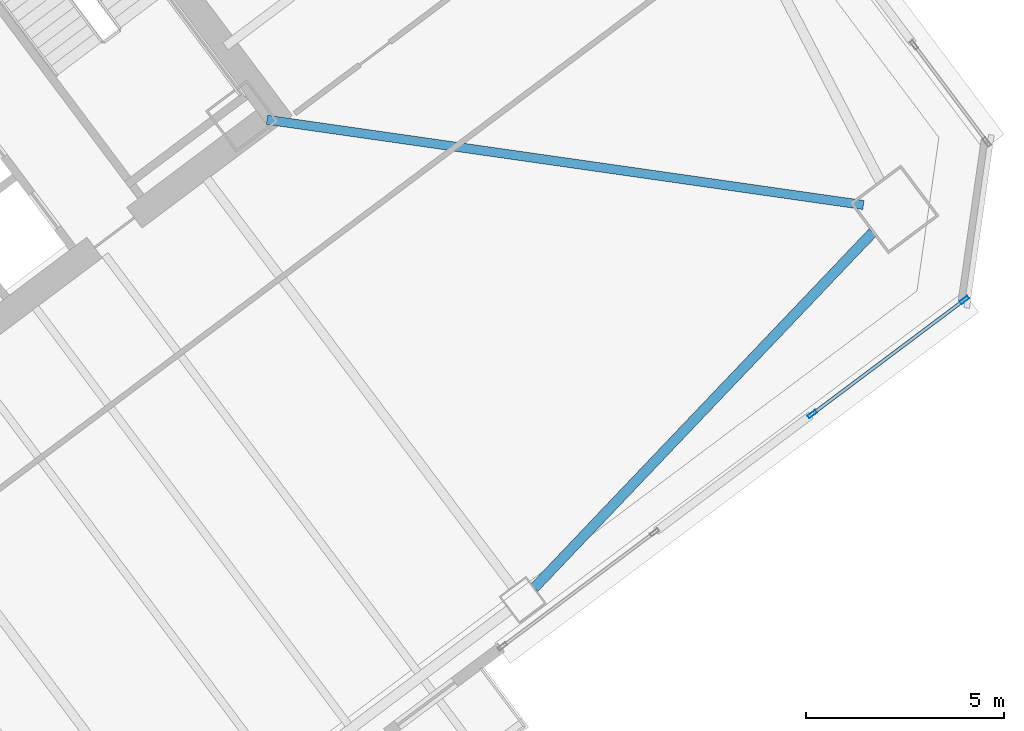
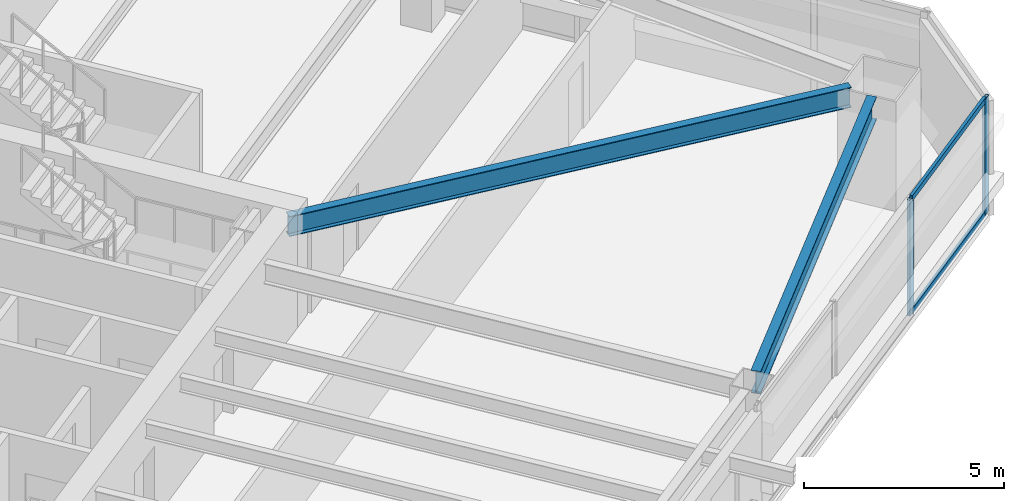
# One storey, part 28 of 51: 4 members, 2 beams, 1 element without a shape of its own.
"""IFC4 building model written with IfcOpenShell, lengths in metres."""

from ifc_helpers import new_model, si_unit, direction, frame, origin, origin_2d, place, context, subcontext, project, spatial, hollow_rectangle, i_section, extrude, material, material_profile, profile_set, type_object, element, aggregate, save


model = new_model("IFC4")

# Units and contexts
model_context = context("Model", 3, precision=1e-05, world=origin(), true_north=direction((0.0, 1.0)))
body_context = subcontext(model_context, "Body", "Model", "MODEL_VIEW")
ifc_project = project(units=[si_unit("LENGTHUNIT", "METRE"), si_unit("AREAUNIT", "SQUARE_METRE"), si_unit("VOLUMEUNIT", "CUBIC_METRE"), si_unit("PLANEANGLEUNIT", "RADIAN"), si_unit("MASSUNIT", "GRAM", prefix="KILO")], contexts=[model_context])

# Site, building, storey
site_placement = place(None, origin())
site = spatial("IfcSite", under=ifc_project, at=site_placement, CompositionType="ELEMENT")
building_placement = place(site_placement, origin())
building = spatial("IfcBuilding", under=site, at=building_placement, Name="Tashvorn Skyway Center", CompositionType="ELEMENT")
storey_placement = place(building_placement, frame((0.0, 0.0, 49.449951171875)))
storey = spatial("IfcBuildingStorey", under=building, at=storey_placement, Name="L12", CompositionType="ELEMENT", Elevation=49.449951171875)

# Beams
ifc_material_1 = material(Name="Steel ASTM A992 Grade 50", Category="steel")
ifc_material_profile_1 = material_profile(ifc_material_1, i_section(OverallWidth=0.22998046875, OverallDepth=0.616943359375, WebThickness=0.01318359375, FlangeThickness=0.022216796875, at=origin_2d()), Name="W24X94")
ifc_profile_set_1 = profile_set([ifc_material_profile_1], Name="Steel ASTM A992 Grade 50")
beam_type_1 = type_object("IfcBeamType", Name="BM-BEAM-W24X94", PredefinedType="BEAM", material=ifc_profile_set_1)
beam_1_placement = place(storey_placement, frame((139.532958984375, 28.3525390625, 3.04150390625), z_axis=(-0.989950458816, 0.141414599991, 0.0), x_axis=(-0.141414599991, -0.989950458816, 0.0)))
element("IfcBeam", 1, at=beam_1_placement, inside=storey, type_object=beam_type_1, Name="Tower 2 L12 Primary Floor Girder MC-SE", PredefinedType="BEAM", context=body_context, shape_type="SweptSolid", body=[
    extrude(i_section(OverallWidth=0.22998046875, OverallDepth=0.616943359375, WebThickness=0.01318359375, FlangeThickness=0.022216796875, at=origin_2d()), origin(), (0.0, 0.0, 1.0), 15.177001953125),
])
ifc_material_profile_2 = material_profile(ifc_material_1, i_section(OverallWidth=0.256103515625, OverallDepth=0.693115234375, WebThickness=0.014404296875, FlangeThickness=0.023681640625, at=origin_2d()), Name="W27X114")
ifc_profile_set_2 = profile_set([ifc_material_profile_2], Name="Steel ASTM A992 Grade 50")
beam_type_2 = type_object("IfcBeamType", Name="BM-SPANDREL-W27X114", PredefinedType="SPANDREL", material=ifc_profile_set_2)
beam_2_placement = place(storey_placement, frame((131.23974609375, 18.7041015625, 3.003662109375), z_axis=(0.689589637236, 0.724200339835, 0.0), x_axis=(-0.724200339835, 0.689589637236, 0.0)))
element("IfcBeam", 2, at=beam_2_placement, inside=storey, type_object=beam_type_2, Name="Tower 2 L12 Spandrel Beam 03", PredefinedType="SPANDREL", context=body_context, shape_type="SweptSolid", body=[
    extrude(i_section(OverallWidth=0.256103515625, OverallDepth=0.693115234375, WebThickness=0.014404296875, FlangeThickness=0.023681640625, at=origin_2d()), origin(), (0.0, 0.0, 1.0), 12.37255859375),
])

# Curtain wall, members
ifc_material_2 = material(Name="Thermally broken bronze-anodized aluminium 6063-T6", Category="aluminium")
curtain_wall_type = type_object("IfcCurtainWallType", Name="CW-CW-Z1", PredefinedType="NOTDEFINED", material=ifc_material_2)
curtain_wall_placement = place(storey_placement, origin())
curtain_wall = element("IfcCurtainWall", 3, at=curtain_wall_placement, inside=storey, type_object=curtain_wall_type, Name="Tower 2 L12 South Curtain Wall L Glazing Group 1", PredefinedType="NOTDEFINED")
ifc_material_profile_3 = material_profile(ifc_material_2, hollow_rectangle(XDim=0.0849609375, YDim=0.239990234375, WallThickness=0.0048828125, at=origin_2d()), Name="ALU-MULL-85x240")
ifc_profile_set_3 = profile_set([ifc_material_profile_3], Name="Thermally broken bronze-anodized aluminium 6063-T6")
member_type_1 = type_object("IfcMemberType", Name="CWM-CW-Z1", PredefinedType="MULLION", material=ifc_profile_set_3)
member_1_placement = place(storey_placement, frame((142.077880859375, 25.95849609375, 0.0), z_axis=(0.0, 0.0, 1.0), x_axis=(0.600003280937, -0.799997539287, 0.0)))
member_1 = element("IfcMember", 4, at=member_1_placement, type_object=member_type_1, Name="CW-Z1 mullion 1", PredefinedType="MULLION", context=body_context, shape_type="SweptSolid", body=[
    extrude(hollow_rectangle(XDim=0.0849609375, YDim=0.239990234375, WallThickness=0.0048828125, at=origin_2d()), origin(), (0.0, 0.0, 1.0), 3.550048828125),
])
member_2_placement = place(storey_placement, frame((138.24462890625, 23.08349609375, 0.0), z_axis=(0.0, 0.0, 1.0), x_axis=(0.600003280937, -0.799997539287, 0.0)))
member_2 = element("IfcMember", 5, at=member_2_placement, type_object=member_type_1, Name="CW-Z1 mullion 2", PredefinedType="MULLION", context=body_context, shape_type="SweptSolid", body=[
    extrude(hollow_rectangle(XDim=0.0849609375, YDim=0.239990234375, WallThickness=0.0048828125, at=origin_2d()), origin(), (0.0, 0.0, 1.0), 3.550048828125),
])
ifc_material_profile_4 = material_profile(ifc_material_2, hollow_rectangle(XDim=0.0849609375, YDim=0.1650390625, WallThickness=0.0048828125, at=origin_2d()), Name="ALU-TRAN-85x165")
ifc_profile_set_4 = profile_set([ifc_material_profile_4], Name="Thermally broken bronze-anodized aluminium 6063-T6")
member_type_2 = type_object("IfcMemberType", Name="CWT-CW-Z1", PredefinedType="USERDEFINED", material=ifc_profile_set_4)
member_3_placement = place(storey_placement, frame((142.0439453125, 25.93310546875, 0.04248046875), z_axis=(-0.799962650953, -0.600049795501, 0.0), x_axis=(0.600049795501, -0.799962650953, 0.0)))
member_3 = element("IfcMember", 6, at=member_3_placement, type_object=member_type_2, Name="CW-Z1 transom 1.1", ObjectType="TRANSOM", PredefinedType="USERDEFINED", context=body_context, shape_type="SweptSolid", body=[
    extrude(hollow_rectangle(XDim=0.0849609375, YDim=0.1650390625, WallThickness=0.0048828125, at=origin_2d()), origin(), (0.0, 0.0, 1.0), 4.70654296875),
])
member_4_placement = place(storey_placement, frame((142.0439453125, 25.93310546875, 3.507568359375), z_axis=(-0.799962650953, -0.600049795501, 0.0), x_axis=(0.600049795501, -0.799962650953, 0.0)))
member_4 = element("IfcMember", 7, at=member_4_placement, type_object=member_type_2, Name="CW-Z1 transom 1.2", ObjectType="TRANSOM", PredefinedType="USERDEFINED", context=body_context, shape_type="SweptSolid", body=[
    extrude(hollow_rectangle(XDim=0.0849609375, YDim=0.1650390625, WallThickness=0.0048828125, at=origin_2d()), origin(), (0.0, 0.0, 1.0), 4.70654296875),
])
aggregate(curtain_wall, [member_1, member_2, member_3, member_4])

save(model, "model.ifc")
